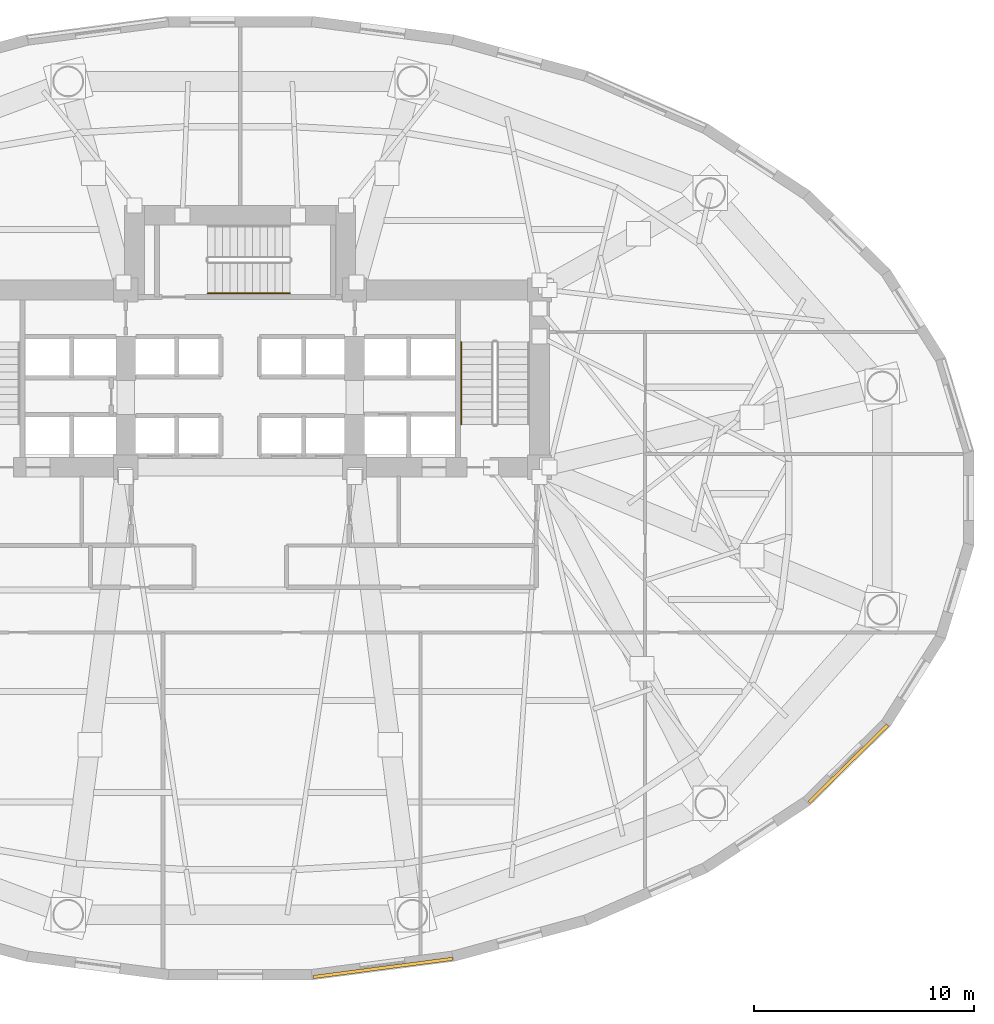
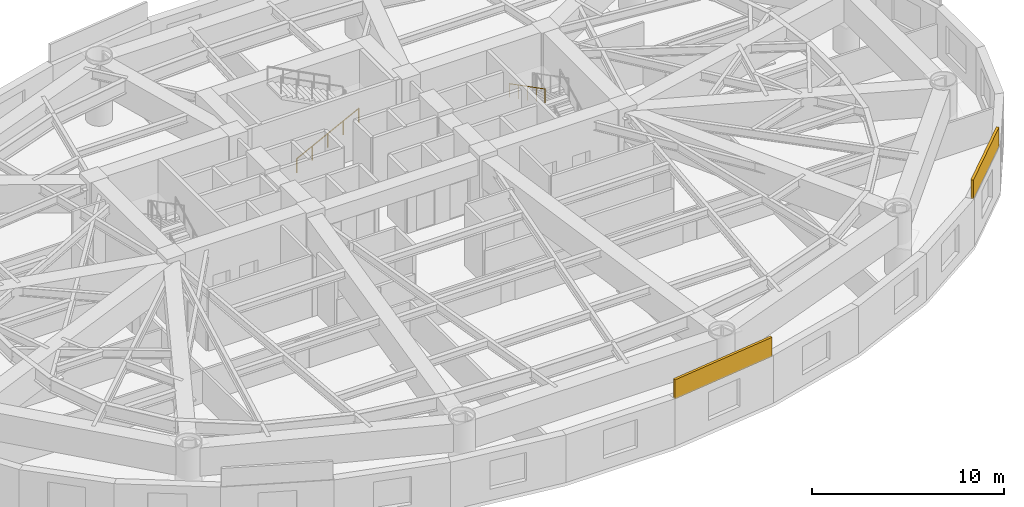
# One storey, part 11 of 14: 2 coverings, 2 railings.
"""IFC4 building model written with IfcOpenShell, lengths in metres."""

from ifc_helpers import new_model, si_unit, direction, frame, origin, origin_2d, place, context, subcontext, project, spatial, rectangle, circle, extrude, material, layer, layer_set, type_object, element, save


model = new_model("IFC4")

# Units and contexts
model_context = context("Model", 3, precision=1e-05, world=origin(), true_north=direction((0.0, 1.0)))
body_context = subcontext(model_context, "Body", "Model", "MODEL_VIEW")
ifc_project = project(units=[si_unit("LENGTHUNIT", "METRE"), si_unit("AREAUNIT", "SQUARE_METRE"), si_unit("VOLUMEUNIT", "CUBIC_METRE"), si_unit("PLANEANGLEUNIT", "RADIAN"), si_unit("MASSUNIT", "GRAM", prefix="KILO")], contexts=[model_context])

# Site, building, storey
site_placement = place(None, origin())
site = spatial("IfcSite", under=ifc_project, at=site_placement, CompositionType="ELEMENT")
building_placement = place(site_placement, origin())
building = spatial("IfcBuilding", under=site, at=building_placement, Name="Keldmark Tower", CompositionType="ELEMENT")
storey_placement = place(building_placement, frame((0.0, 0.0, 22.800048828125)))
storey = spatial("IfcBuildingStorey", under=building, at=storey_placement, Name="L05", CompositionType="ELEMENT", Elevation=22.800048828125)

# Coverings
ifc_material_1 = material(Name="Honed Kasota Buff Dolomitic Limestone", Category="masonry")
ifc_layer = layer(ifc_material_1, 0.074951171875)
ifc_layer_set = layer_set([ifc_layer], Name="Honed Kasota Buff Dolomitic Limestone")
covering_type = type_object("IfcCoveringType", Name="Kasota Buff Limestone Spandrel Cladding Band", PredefinedType="CLADDING", material=ifc_layer_set)
covering_1_placement = place(storey_placement, frame((6.487060546875, -21.344482421875, 2.952880859375), z_axis=(0.0, 0.0, 1.0), x_axis=(0.991574223108, 0.129539801092, 0.0)))
element("IfcCovering", 1, at=covering_1_placement, inside=storey, type_object=covering_type, Name="L05 Kasota Limestone Spandrel Band 25", PredefinedType="CLADDING", context=body_context, shape_type="SweptSolid", body=[
    extrude(rectangle(XDim=6.37548828125, YDim=0.14990234375, at=origin_2d()), origin(), (0.0, 0.0, 1.0), 1.22705078125),
])
covering_2_placement = place(storey_placement, frame((27.62890625, -12.071044921875, 2.952880859375), z_axis=(0.0, 0.0, 1.0), x_axis=(0.713189280566, 0.700971504475, 0.0)))
element("IfcCovering", 2, at=covering_2_placement, inside=storey, type_object=covering_type, Name="L05 Kasota Limestone Spandrel Band 29", PredefinedType="CLADDING", context=body_context, shape_type="SweptSolid", body=[
    extrude(rectangle(XDim=4.995849609375, YDim=0.14990234375, at=origin_2d()), origin(), (0.0, 0.0, 1.0), 1.22705078125),
])

# Railings
ifc_material_2 = material(Name="Stainless Steel AISI 316L", Category="steel")
railing_type = type_object("IfcRailingType", Name="Stainless Steel Stair Handrail 900 mm", PredefinedType="HANDRAIL", material=ifc_material_2)
railing_1_placement = place(storey_placement, frame((10.050048828125, 7.090087890625, 2.27490234375)))
element("IfcRailing", 3, at=railing_1_placement, inside=storey, type_object=railing_type, Name="L05 ST2 stair handrail 2", PredefinedType="HANDRAIL", context=body_context, shape_type="SweptSolid", body=[
    extrude(circle(Radius=0.02392578125, at=origin_2d()), frame((0.0, 0.0, 0.8759765625), z_axis=(0.0, -0.889130600629, 0.457653553493), x_axis=(1.0, 0.0, 0.0)), (0.0, 0.0, 1.0), 4.206298828125),
    extrude(circle(Radius=0.02099609375, at=origin_2d()), origin(), (0.0, 0.0, 1.0), 0.851806640625),
    extrude(circle(Radius=0.02099609375, at=origin_2d()), frame((0.0, -0.93505859375, 0.481201171875)), (0.0, 0.0, 1.0), 0.851806640625),
    extrude(circle(Radius=0.02099609375, at=origin_2d()), frame((0.0, -1.8701171875, 0.96240234375)), (0.0, 0.0, 1.0), 0.851806640625),
    extrude(circle(Radius=0.02099609375, at=origin_2d()), frame((0.0, -2.804931640625, 1.44384765625)), (0.0, 0.0, 1.0), 0.851806640625),
    extrude(circle(Radius=0.02099609375, at=origin_2d()), frame((0.0, -3.739990234375, 1.925048828125)), (0.0, 0.0, 1.0), 0.851806640625),
])
railing_2_placement = place(storey_placement, frame((-1.47509765625, 9.300048828125, 0.175048828125)))
element("IfcRailing", 4, at=railing_2_placement, inside=storey, type_object=railing_type, Name="L05 ST3 stair handrail 1", PredefinedType="HANDRAIL", context=body_context, shape_type="SweptSolid", body=[
    extrude(circle(Radius=0.02392578125, at=origin_2d()), frame((0.0, 0.0, 0.8759765625), z_axis=(0.889154217769, 0.0, 0.457607667138), x_axis=(0.0, 1.0, 0.0)), (0.0, 0.0, 1.0), 4.206298828125),
    extrude(circle(Radius=0.02099609375, at=origin_2d()), origin(), (0.0, 0.0, 1.0), 0.851806640625),
    extrude(circle(Radius=0.02099609375, at=origin_2d()), frame((0.93505859375, 0.0, 0.481201171875)), (0.0, 0.0, 1.0), 0.851806640625),
    extrude(circle(Radius=0.02099609375, at=origin_2d()), frame((1.8701171875, 0.0, 0.96240234375)), (0.0, 0.0, 1.0), 0.851806640625),
    extrude(circle(Radius=0.02099609375, at=origin_2d()), frame((2.804931640625, 0.0, 1.443603515625)), (0.0, 0.0, 1.0), 0.851806640625),
    extrude(circle(Radius=0.02099609375, at=origin_2d()), frame((3.739990234375, 0.0, 1.9248046875)), (0.0, 0.0, 1.0), 0.851806640625),
])

save(model, "model.ifc")
